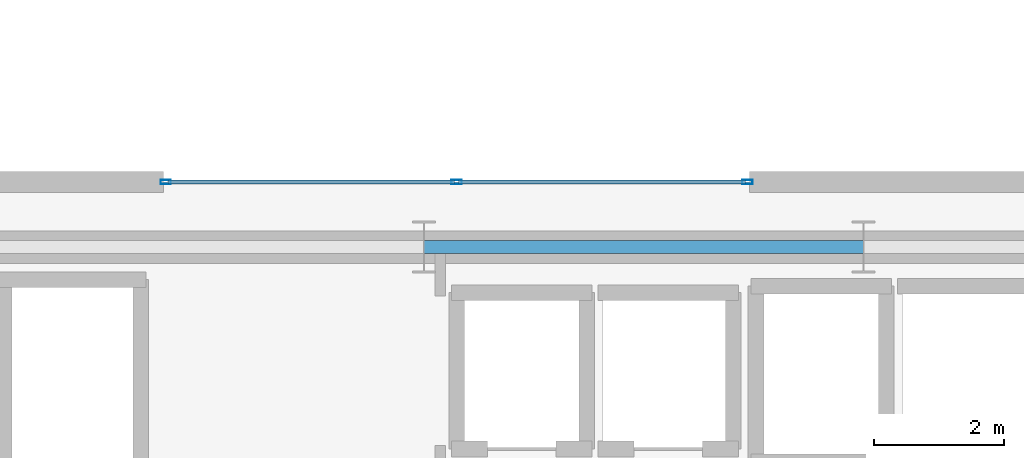
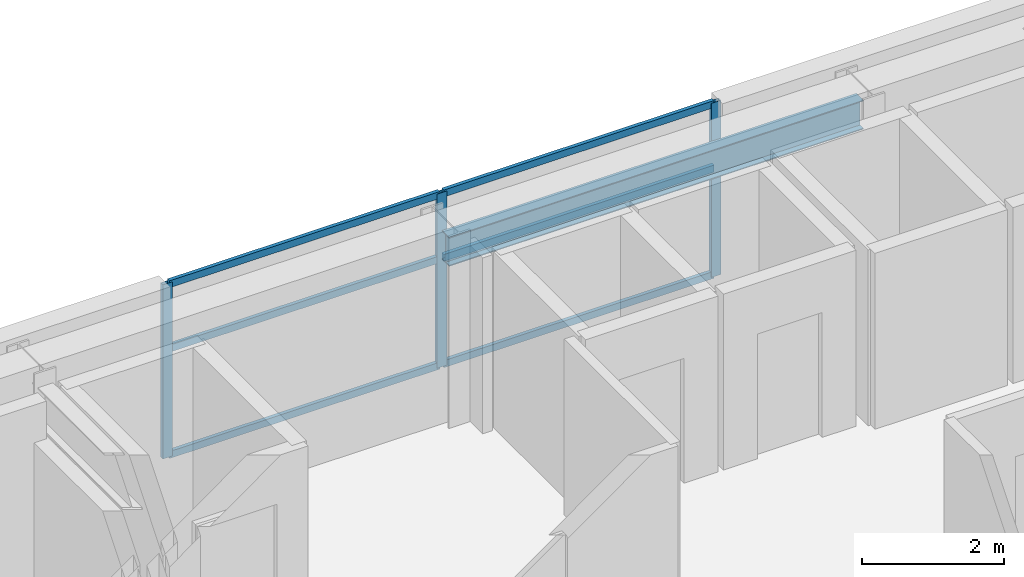
# One storey, part 4 of 22: 9 members, 1 beam, 1 element without a shape of its own.
"""IFC4 building model written with IfcOpenShell, lengths in metres."""

import ifcopenshell
import ifcopenshell.guid

model = None  # the IFC model being written
_history = None  # IfcOwnerHistory: only IFC2X3 demands one
_inside = {}  # id of a spatial element -> (the spatial element, [elements in it])
_under = {}  # id of a project, library or spatial element -> (it, [spatial elements below it])
_declared = {}  # id of a project -> (the project, [libraries it declares])
_typed = {}  # id of a type object -> (the type object, [elements of that type])
_made_of = {}  # id of a material, layer set ... -> (it, [elements and type objects made of it])


def new_model(schema):
    """Start an empty IFC model of exactly this schema.

    Asked for "IFC4X3", IfcOpenShell would pick the latest addendum, in which some entities
    have other attributes; the version numbers below select the first issue.
    IFC2X3 requires an IfcOwnerHistory on every rooted entity: one is made here for all.
    """
    global model, _history
    if schema == "IFC4X3":
        model = ifcopenshell.file(schema_version=(4, 3, 0, 0))
    else:
        model = ifcopenshell.file(schema=schema)
    _inside.clear()
    _under.clear()
    _declared.clear()
    _typed.clear()
    _made_of.clear()
    _history = None
    if model.schema == "IFC2X3":
        org = make("IfcOrganization", Name="unknown")
        user = make(
            "IfcPersonAndOrganization",
            ThePerson=make("IfcPerson", FamilyName="unknown"),
            TheOrganization=org,
        )
        app = make(
            "IfcApplication",
            ApplicationDeveloper=org,
            Version="unknown",
            ApplicationFullName="unknown",
            ApplicationIdentifier="unknown",
        )
        _history = make(
            "IfcOwnerHistory",
            OwningUser=user,
            OwningApplication=app,
            ChangeAction="ADDED",
            CreationDate=0,
        )
    return model


def make(cls, **values):
    """One entity of the class cls with the attributes given. An attribute that is None is left unset."""
    return model.create_entity(
        cls, **{name: value for name, value in values.items() if value is not None}
    )


def rooted(cls, **values):
    """An entity with a GlobalId (a new one), such as an element, a storey or a relation."""
    return make(cls, GlobalId=ifcopenshell.guid.new(), OwnerHistory=_history, **values)


def si_unit(unit_type, name, prefix=None):
    """IfcSIUnit, for example si_unit("LENGTHUNIT", "METRE", prefix="MILLI")."""
    return make("IfcSIUnit", UnitType=unit_type, Prefix=prefix, Name=name)


def assignment(units):
    """IfcUnitAssignment: the units of a project."""
    return None if units is None else make("IfcUnitAssignment", Units=units)


def point(xyz):
    """IfcCartesianPoint."""
    return None if xyz is None else make("IfcCartesianPoint", Coordinates=xyz)


def direction(xyz):
    """IfcDirection."""
    return None if xyz is None else make("IfcDirection", DirectionRatios=xyz)


def frame(location, z_axis=None, x_axis=None):
    """IfcAxis2Placement3D, a coordinate frame: its origin and axes. An axis left out is left unset."""
    return make(
        "IfcAxis2Placement3D",
        Location=point(location),
        Axis=direction(z_axis),
        RefDirection=direction(x_axis),
    )


def frame_2d(location, x_axis=None):
    """IfcAxis2Placement2D, a coordinate frame in the plane: its origin and x axis."""
    return make(
        "IfcAxis2Placement2D", Location=point(location), RefDirection=direction(x_axis)
    )


def origin():
    """The frame at (0, 0, 0) with its axes left unset."""
    return frame((0.0, 0.0, 0.0))


def origin_2d():
    """The frame at (0, 0) in the plane with its x axis left unset."""
    return frame_2d((0.0, 0.0))


def place(relative_to, where):
    """IfcLocalPlacement: puts the frame where relative to a parent placement (None: the world)."""
    return make(
        "IfcLocalPlacement", PlacementRelTo=relative_to, RelativePlacement=where
    )


def context(
    kind, dimensions, precision=None, world=None, true_north=None, identifier=None
):
    """IfcGeometricRepresentationContext, for example the 3D "Model" context."""
    return make(
        "IfcGeometricRepresentationContext",
        ContextIdentifier=identifier,
        ContextType=kind,
        CoordinateSpaceDimension=dimensions,
        Precision=precision,
        WorldCoordinateSystem=world,
        TrueNorth=true_north,
    )


def subcontext(parent, identifier, kind, view, scale=None):
    """IfcGeometricRepresentationSubContext, for example "Body" below "Model"."""
    return make(
        "IfcGeometricRepresentationSubContext",
        ContextIdentifier=identifier,
        ContextType=kind,
        ParentContext=parent,
        TargetScale=scale,
        TargetView=view,
    )


def project(units=None, contexts=None):
    """IfcProject with its units and contexts."""
    return rooted(
        "IfcProject",
        Name="project",
        RepresentationContexts=contexts,
        UnitsInContext=assignment(units),
    )


def spatial(cls, under=None, at=None, **own):
    """A site, building, storey or space (cls), placed at a placement, below another one or the project."""
    s = rooted(cls, ObjectPlacement=at, **own)
    if under is not None:
        _under.setdefault(under.id(), (under, []))[1].append(s)
    return s


def profile(cls, at=None, kind="AREA", **sizes):
    """A parametric profile (cls). Its sizes go by their IFC names, for example OverallWidth=200.0."""
    return make(cls, ProfileType=kind, Position=at, **sizes)


def hollow_rectangle(**sizes):
    """IfcRectangleHollowProfileDef."""
    return profile("IfcRectangleHollowProfileDef", **sizes)


def i_section(**sizes):
    """IfcIShapeProfileDef."""
    return profile("IfcIShapeProfileDef", **sizes)


def extrude(swept, where, along, depth):
    """IfcExtrudedAreaSolid: the profile swept, set in the frame where, extruded along a direction by depth."""
    return make(
        "IfcExtrudedAreaSolid",
        SweptArea=swept,
        Position=where,
        ExtrudedDirection=direction(along),
        Depth=depth,
    )


def shape(context_of_items, identifier, shape_type, items):
    """IfcShapeRepresentation: the items that make up one representation, for example the "Body"."""
    return make(
        "IfcShapeRepresentation",
        ContextOfItems=context_of_items,
        RepresentationIdentifier=identifier,
        RepresentationType=shape_type,
        Items=items,
    )


def material(Name=None, Category=None):
    """IfcMaterial."""
    return make("IfcMaterial", Name=Name, Category=Category)


def layer(
    of_material, thickness, ventilated=None, Name=None, Category=None, Priority=None
):
    """IfcMaterialLayer: one layer of a wall or slab, of a material (None: an air gap)."""
    return make(
        "IfcMaterialLayer",
        Material=of_material,
        LayerThickness=thickness,
        IsVentilated=ventilated,
        Name=Name,
        Category=Category,
        Priority=Priority,
    )


def layer_set(layers, Name=None):
    """IfcMaterialLayerSet."""
    return make("IfcMaterialLayerSet", MaterialLayers=layers, LayerSetName=Name)


def material_profile(
    of_material, cross_section, Name=None, Category=None, Priority=None
):
    """IfcMaterialProfile: a cross section and its material."""
    return make(
        "IfcMaterialProfile",
        Name=Name,
        Material=of_material,
        Profile=cross_section,
        Priority=Priority,
        Category=Category,
    )


def profile_set(profiles, Name=None, composite=None):
    """IfcMaterialProfileSet."""
    return make(
        "IfcMaterialProfileSet",
        Name=Name,
        MaterialProfiles=profiles,
        CompositeProfile=composite,
    )


def made_of(thing, what):
    """Note that an element or type object is made of a material, layer set ...; save() writes the relation."""
    if what is not None:
        _made_of.setdefault(what.id(), (what, []))[1].append(thing)
    return thing


def type_object(cls, material=None, **own):
    """A type object (cls), such as IfcWallType, which elements share."""
    return made_of(rooted(cls, **own), material)


def element(
    cls,
    number,
    at=None,
    inside=None,
    cuts=None,
    type_object=None,
    material=None,
    context=None,
    identifier="Body",
    shape_type=None,
    held_by="IfcProductDefinitionShape",
    body=None,
    shapes=None,
    **own,
):
    """One element of the class cls, such as IfcWall. Its Tag is "e" and its number.

    at: its placement. inside: the storey or other place that contains it. cuts: it is an
    opening in that element (IfcRelVoidsElement). A single representation is given by context,
    identifier, shape_type and body (its items); several are given by shapes. held_by: the class
    of the entity that holds the representations. save() writes the other relations.
    """
    e = rooted(cls, Tag="e%d" % number, ObjectPlacement=at, **own)
    if body is not None:
        shapes = [shape(context, identifier, shape_type, body)]
    if shapes is not None:
        e.Representation = make(held_by, Representations=shapes)
    if inside is not None:
        _inside.setdefault(inside.id(), (inside, []))[1].append(e)
    if cuts is not None:
        rooted(
            "IfcRelVoidsElement", RelatingBuildingElement=cuts, RelatedOpeningElement=e
        )
    if type_object is not None:
        _typed.setdefault(type_object.id(), (type_object, []))[1].append(e)
    return made_of(e, material)


def aggregate(whole, parts):
    """IfcRelAggregates: a whole, such as a stair, and the parts it consists of."""
    return rooted("IfcRelAggregates", RelatingObject=whole, RelatedObjects=parts)


def save(model, path):
    """Write the relations noted so far, then the file.

    IfcRelAggregates (storeys below a building ...), IfcRelContainedInSpatialStructure (elements
    in a storey), IfcRelDefinesByType, IfcRelAssociatesMaterial and IfcRelDeclares: one each for
    every whole, place, type object, material and project.
    """
    for whole, parts in _under.values():
        aggregate(whole, parts)
    for where, things in _inside.values():
        rooted(
            "IfcRelContainedInSpatialStructure",
            RelatedElements=things,
            RelatingStructure=where,
        )
    for kind, things in _typed.values():
        rooted("IfcRelDefinesByType", RelatedObjects=things, RelatingType=kind)
    for what, things in _made_of.values():
        rooted("IfcRelAssociatesMaterial", RelatedObjects=things, RelatingMaterial=what)
    for by, libraries in _declared.values():
        rooted("IfcRelDeclares", RelatingContext=by, RelatedDefinitions=libraries)
    model.write(path)


model = new_model("IFC4")

# Units and contexts
model_context = context("Model", 3, precision=1e-05, world=origin(), true_north=direction((0.0, 1.0)))
body_context = subcontext(model_context, "Body", "Model", "MODEL_VIEW")
ifc_project = project(units=[si_unit("LENGTHUNIT", "METRE"), si_unit("AREAUNIT", "SQUARE_METRE"), si_unit("VOLUMEUNIT", "CUBIC_METRE"), si_unit("PLANEANGLEUNIT", "RADIAN"), si_unit("MASSUNIT", "GRAM", prefix="KILO")], contexts=[model_context])

# Site, building, storey
site_placement = place(None, origin())
site = spatial("IfcSite", under=ifc_project, at=site_placement, CompositionType="ELEMENT")
building_placement = place(site_placement, origin())
building = spatial("IfcBuilding", under=site, at=building_placement, Name="Haevon Station Towers", CompositionType="ELEMENT")
storey_placement = place(building_placement, frame((0.0, 0.0, 113.10009765625)))
storey = spatial("IfcBuildingStorey", under=building, at=storey_placement, Name="L30", CompositionType="ELEMENT", Elevation=113.10009765625)

# Beam
ifc_material_1 = material(Name="Steel S355", Category="steel")
ifc_material_profile_1 = material_profile(ifc_material_1, i_section(OverallWidth=0.199951171875, OverallDepth=0.5, WebThickness=0.010009765625, FlangeThickness=0.01611328125, at=origin_2d()), Name="H-500x200x10x16")
ifc_profile_set_1 = profile_set([ifc_material_profile_1], Name="Steel S355")
beam_type = type_object("IfcBeamType", Name="BM-SP500", PredefinedType="SPANDREL", material=ifc_profile_set_1)
beam_placement = place(storey_placement, frame((37.5, 48.0, 2.7998046875), z_axis=(1.0, 0.0, 0.0), x_axis=(0.0, 1.0, 0.0)))
element("IfcBeam", 1, at=beam_placement, inside=storey, type_object=beam_type, Name="BM-T1U-L30-04-04", PredefinedType="SPANDREL", context=body_context, shape_type="SweptSolid", body=[
    extrude(i_section(OverallWidth=0.199951171875, OverallDepth=0.5, WebThickness=0.010009765625, FlangeThickness=0.01611328125, at=origin_2d()), origin(), (0.0, 0.0, 1.0), 6.75),
])

# Curtain wall, members
ifc_material_2 = material(Name="Anodised aluminium and Low-E double glazing", Category="aluminium")
ifc_layer = layer(ifc_material_2, 0.179931640625)
ifc_layer_set = layer_set([ifc_layer], Name="Anodised aluminium and Low-E double glazing")
curtain_wall_type = type_object("IfcCurtainWallType", Name="CW-SYS4", PredefinedType="NOTDEFINED", material=ifc_layer_set)
curtain_wall_placement = place(storey_placement, origin())
curtain_wall = element("IfcCurtainWall", 2, at=curtain_wall_placement, inside=storey, type_object=curtain_wall_type, Name="L30 Curtain Wall CW-T1-L30-N", PredefinedType="NOTDEFINED")
ifc_material_3 = material(Name="Anodised aluminium 6063-T6", Category="aluminium")
ifc_material_profile_2 = material_profile(ifc_material_3, hollow_rectangle(XDim=0.06494140625, YDim=0.159912109375, WallThickness=0.00390625, at=origin_2d()), Name="CWM-160x65x4")
ifc_profile_set_2 = profile_set([ifc_material_profile_2], Name="Anodised aluminium 6063-T6")
member_type_1 = type_object("IfcMemberType", Name="CWM-160", PredefinedType="MULLION", material=ifc_profile_set_2)
member_1_placement = place(storey_placement, frame((33.532470703125, 49.0, 0.0), z_axis=(0.0, 0.0, 1.0), x_axis=(0.0, 1.0, 0.0)))
member_1 = element("IfcMember", 3, at=member_1_placement, type_object=member_type_1, Name="CW-SYS4 mullion 1", PredefinedType="MULLION", context=body_context, shape_type="SweptSolid", body=[
    extrude(hollow_rectangle(XDim=0.06494140625, YDim=0.159912109375, WallThickness=0.00390625, at=origin_2d()), origin(), (0.0, 0.0, 1.0), 3.0),
])
member_2_placement = place(storey_placement, frame((38.0, 49.0, 0.0), z_axis=(0.0, 0.0, 1.0), x_axis=(0.0, 1.0, 0.0)))
member_2 = element("IfcMember", 4, at=member_2_placement, type_object=member_type_1, Name="CW-SYS4 mullion 2", PredefinedType="MULLION", context=body_context, shape_type="SweptSolid", body=[
    extrude(hollow_rectangle(XDim=0.06494140625, YDim=0.159912109375, WallThickness=0.00390625, at=origin_2d()), origin(), (0.0, 0.0, 1.0), 3.0),
])
member_3_placement = place(storey_placement, frame((42.467529296875, 49.0, 0.0), z_axis=(0.0, 0.0, 1.0), x_axis=(0.0, 1.0, 0.0)))
member_3 = element("IfcMember", 5, at=member_3_placement, type_object=member_type_1, Name="CW-SYS4 mullion 3", PredefinedType="MULLION", context=body_context, shape_type="SweptSolid", body=[
    extrude(hollow_rectangle(XDim=0.06494140625, YDim=0.159912109375, WallThickness=0.00390625, at=origin_2d()), origin(), (0.0, 0.0, 1.0), 3.0),
])
ifc_material_profile_3 = material_profile(ifc_material_3, hollow_rectangle(XDim=0.06005859375, YDim=0.1201171875, WallThickness=0.0029296875, at=origin_2d()), Name="CWT-120x60x3")
ifc_profile_set_3 = profile_set([ifc_material_profile_3], Name="Anodised aluminium 6063-T6")
member_type_2 = type_object("IfcMemberType", Name="CWT-120", PredefinedType="USERDEFINED", material=ifc_profile_set_3)
member_4_placement = place(storey_placement, frame((33.56494140625, 49.0, 0.02978515625), z_axis=(1.0, 0.0, 0.0), x_axis=(0.0, 1.0, 0.0)))
member_4 = element("IfcMember", 6, at=member_4_placement, type_object=member_type_2, Name="CW-SYS4 transom 1.1", ObjectType="TRANSOM", PredefinedType="USERDEFINED", context=body_context, shape_type="SweptSolid", body=[
    extrude(hollow_rectangle(XDim=0.06005859375, YDim=0.1201171875, WallThickness=0.0029296875, at=origin_2d()), origin(), (0.0, 0.0, 1.0), 4.402587890625),
])
member_5_placement = place(storey_placement, frame((33.56494140625, 49.0, 1.85986328125), z_axis=(1.0, 0.0, 0.0), x_axis=(0.0, 1.0, 0.0)))
member_5 = element("IfcMember", 7, at=member_5_placement, type_object=member_type_2, Name="CW-SYS4 transom 1.2", ObjectType="TRANSOM", PredefinedType="USERDEFINED", context=body_context, shape_type="SweptSolid", body=[
    extrude(hollow_rectangle(XDim=0.06005859375, YDim=0.1201171875, WallThickness=0.0029296875, at=origin_2d()), origin(), (0.0, 0.0, 1.0), 4.402587890625),
])
member_6_placement = place(storey_placement, frame((33.56494140625, 49.0, 2.969970703125), z_axis=(1.0, 0.0, 0.0), x_axis=(0.0, 1.0, 0.0)))
member_6 = element("IfcMember", 8, at=member_6_placement, type_object=member_type_2, Name="CW-SYS4 transom 1.3", ObjectType="TRANSOM", PredefinedType="USERDEFINED", context=body_context, shape_type="SweptSolid", body=[
    extrude(hollow_rectangle(XDim=0.06005859375, YDim=0.1201171875, WallThickness=0.0029296875, at=origin_2d()), origin(), (0.0, 0.0, 1.0), 4.402587890625),
])
member_7_placement = place(storey_placement, frame((38.032470703125, 49.0, 0.02978515625), z_axis=(1.0, 0.0, 0.0), x_axis=(0.0, 1.0, 0.0)))
member_7 = element("IfcMember", 9, at=member_7_placement, type_object=member_type_2, Name="CW-SYS4 transom 2.1", ObjectType="TRANSOM", PredefinedType="USERDEFINED", context=body_context, shape_type="SweptSolid", body=[
    extrude(hollow_rectangle(XDim=0.06005859375, YDim=0.1201171875, WallThickness=0.0029296875, at=origin_2d()), origin(), (0.0, 0.0, 1.0), 4.402587890625),
])
member_8_placement = place(storey_placement, frame((38.032470703125, 49.0, 1.85986328125), z_axis=(1.0, 0.0, 0.0), x_axis=(0.0, 1.0, 0.0)))
member_8 = element("IfcMember", 10, at=member_8_placement, type_object=member_type_2, Name="CW-SYS4 transom 2.2", ObjectType="TRANSOM", PredefinedType="USERDEFINED", context=body_context, shape_type="SweptSolid", body=[
    extrude(hollow_rectangle(XDim=0.06005859375, YDim=0.1201171875, WallThickness=0.0029296875, at=origin_2d()), origin(), (0.0, 0.0, 1.0), 4.402587890625),
])
member_9_placement = place(storey_placement, frame((38.032470703125, 49.0, 2.969970703125), z_axis=(1.0, 0.0, 0.0), x_axis=(0.0, 1.0, 0.0)))
member_9 = element("IfcMember", 11, at=member_9_placement, type_object=member_type_2, Name="CW-SYS4 transom 2.3", ObjectType="TRANSOM", PredefinedType="USERDEFINED", context=body_context, shape_type="SweptSolid", body=[
    extrude(hollow_rectangle(XDim=0.06005859375, YDim=0.1201171875, WallThickness=0.0029296875, at=origin_2d()), origin(), (0.0, 0.0, 1.0), 4.402587890625),
])
aggregate(curtain_wall, [member_1, member_2, member_3, member_4, member_5, member_6, member_7, member_8, member_9])

save(model, "model.ifc")
